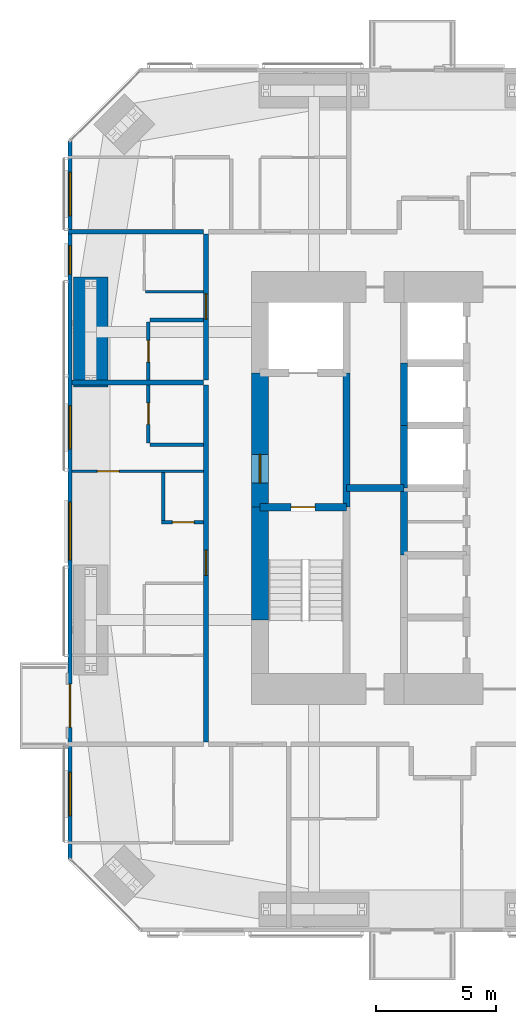
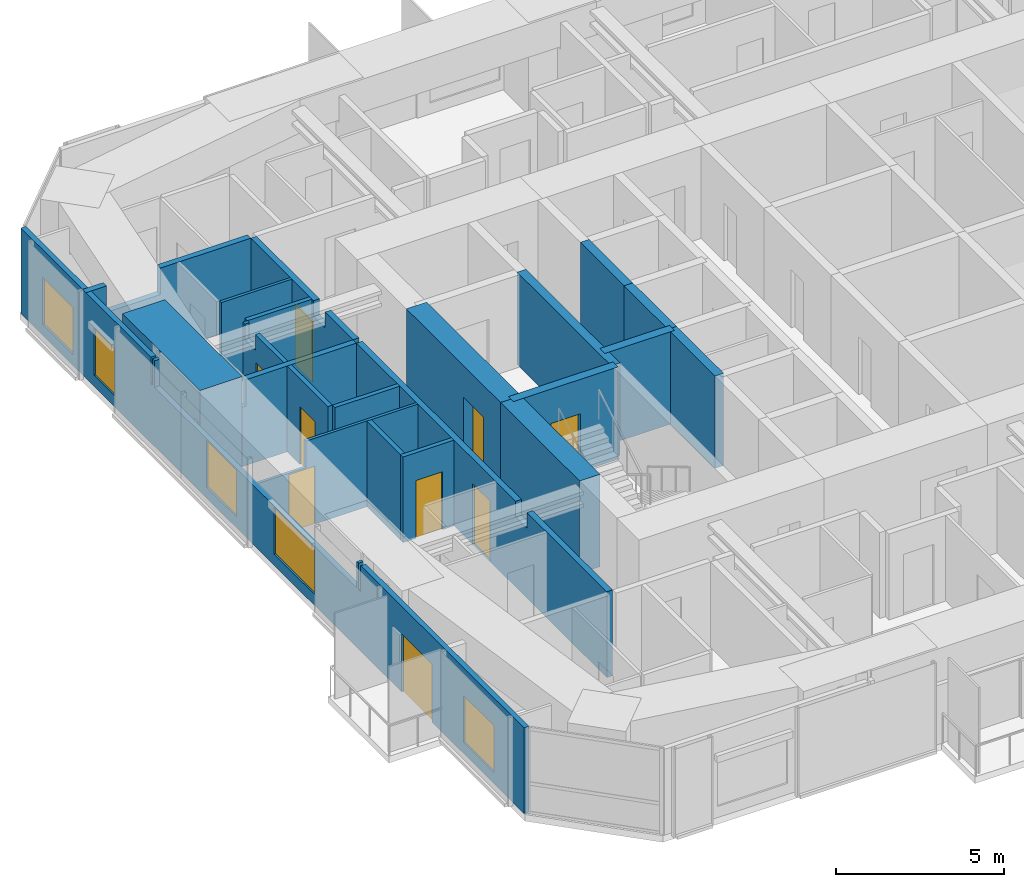
# One storey, part 17 of 23: 22 walls, 9 doors, 5 windows, 14 openings.
"""IFC4 building model written with IfcOpenShell, lengths in metres."""

from ifc_helpers import new_model, si_unit, direction, frame, frame_2d, origin, place, context, subcontext, project, spatial, polyline, rectangle, outline, extrude, material, layer, layer_set, constituent, constituent_set, type_object, element, fill, save


model = new_model("IFC4")

# Units and contexts
model_context = context("Model", 3, precision=1e-05, world=origin(), true_north=direction((0.0, 1.0)))
body_context = subcontext(model_context, "Body", "Model", "MODEL_VIEW")
ifc_project = project(units=[si_unit("LENGTHUNIT", "METRE"), si_unit("AREAUNIT", "SQUARE_METRE"), si_unit("VOLUMEUNIT", "CUBIC_METRE"), si_unit("PLANEANGLEUNIT", "RADIAN"), si_unit("MASSUNIT", "GRAM", prefix="KILO")], contexts=[model_context])

# Site, building, storey
site_placement = place(None, origin())
site = spatial("IfcSite", under=ifc_project, at=site_placement, CompositionType="ELEMENT")
building_placement = place(site_placement, origin())
building = spatial("IfcBuilding", under=site, at=building_placement, Name="Jalousie Tower", CompositionType="ELEMENT")
storey_placement = place(building_placement, frame((0.0, 0.0, 167.75)))
storey = spatial("IfcBuildingStorey", under=building, at=storey_placement, Name="L45", CompositionType="ELEMENT", Elevation=167.75)

# Wall, opening, door
ifc_material_1 = material(Name="Concrete block ASTM C90", Category="concrete")
ifc_constituent_1 = constituent(ifc_material_1, Name="Body")
ifc_material_2 = material(Name="Render")
ifc_constituent_2 = constituent(ifc_material_2, Name="Finish")
ifc_constituent_set_1 = constituent_set(constituents=[ifc_constituent_1, ifc_constituent_2])
wall_type_1 = type_object("IfcWallType", Name="BATHROOM WALL 150", PredefinedType="PLUMBINGWALL", material=ifc_constituent_set_1)
wall_1_placement = place(storey_placement, frame((15.35009765625, 20.375, 0.0), z_axis=(0.0, 0.0, 1.0), x_axis=(0.0, 1.0, 0.0)))
wall_1 = element("IfcWall", 1, at=wall_1_placement, inside=storey, type_object=wall_type_1, Name="Bathroom Wall 150 L45", PredefinedType="PLUMBINGWALL", context=body_context, shape_type="SweptSolid", body=[
    extrude(rectangle(XDim=2.425048828125, YDim=0.14990234375, at=frame_2d((1.21240234375, 0.0))), origin(), (0.0, 0.0, 1.0), 3.110107421875),
])
opening_1_placement = place(wall_1_placement, frame((0.77490234375, 0.0, 0.0)))
opening_1 = element("IfcOpeningElement", 2, at=opening_1_placement, cuts=wall_1, Name="Opening D3", PredefinedType="OPENING", context=body_context, shape_type="SweptSolid", body=[
    extrude(rectangle(XDim=0.89990234375, YDim=2.10009765625, at=frame_2d((0.449951171875, 1.050048828125))), frame((0.0, 0.0849609375, 0.0), z_axis=(0.0, -1.0, 0.0), x_axis=(1.0, 0.0, 0.0)), (0.0, 0.0, 1.0), 0.169921875),
])
ifc_material_3 = material(Name="Timber door", Category="wood")
door_type_1 = type_object("IfcDoorType", Name="BATHROOM DOOR 900", OperationType="SINGLE_SWING_LEFT", PredefinedType="DOOR", material=ifc_material_3)
door_1_placement = place(opening_1_placement, frame((0.89990234375, 0.0, 0.0), z_axis=(0.0, 0.0, 1.0), x_axis=(-1.0, 0.0, 0.0)))
door_1 = element("IfcDoor", 3, at=door_1_placement, inside=storey, type_object=door_type_1, Name="Apartment 4508 bathroom door", OperationType="SINGLE_SWING_LEFT", OverallHeight=2.10009765625, OverallWidth=0.89990234375, PredefinedType="DOOR", context=body_context, shape_type="SweptSolid", body=[
    extrude(rectangle(XDim=0.89990234375, YDim=2.10009765625, at=frame_2d((0.449951171875, 1.050048828125))), frame((0.0, 0.02490234375, 0.0), z_axis=(0.0, -1.0, 0.0), x_axis=(1.0, 0.0, 0.0)), (0.0, 0.0, 1.0), 0.050048828125),
])
fill(opening_1, door_1)

# Wall
wall_2_placement = place(storey_placement, frame((15.425048828125, 20.300048828125, 0.0), z_axis=(0.0, 0.0, 1.0), x_axis=(1.0, 0.0, 0.0)))
element("IfcWall", 4, at=wall_2_placement, inside=storey, type_object=wall_type_1, Name="Bathroom Wall 150 L45", PredefinedType="PLUMBINGWALL", context=body_context, shape_type="SweptSolid", body=[
    extrude(rectangle(XDim=2.224853515625, YDim=0.14990234375, at=frame_2d((1.1123046875, 0.0))), origin(), (0.0, 0.0, 1.0), 3.110107421875),
])

# Wall, opening, door
wall_3_placement = place(storey_placement, frame((15.35009765625, 23.0, 0.0), z_axis=(0.0, 0.0, 1.0), x_axis=(0.0, 1.0, 0.0)))
wall_3 = element("IfcWall", 5, at=wall_3_placement, inside=storey, type_object=wall_type_1, Name="Bathroom Wall 150 L45", PredefinedType="PLUMBINGWALL", context=body_context, shape_type="SweptSolid", body=[
    extrude(outline(polyline([(0.0, 0.0), (2.425048828125, 0.0), (2.425048828125, 3.110107421875), (2.3125, 3.110107421875), (2.3125, 2.541015625), (1.6875, 2.541015625), (1.6875, 3.110107421875), (0.0, 3.110107421875), (0.0, 0.0)])), frame((0.0, 0.074951171875, 0.0), z_axis=(0.0, -1.0, 0.0), x_axis=(1.0, 0.0, 0.0)), (0.0, 0.0, 1.0), 0.14990234375),
])
opening_2_placement = place(wall_3_placement, frame((0.75, 0.0, 0.0)))
opening_2 = element("IfcOpeningElement", 6, at=opening_2_placement, cuts=wall_3, Name="Opening D3", PredefinedType="OPENING", context=body_context, shape_type="SweptSolid", body=[
    extrude(rectangle(XDim=0.89990234375, YDim=2.10009765625, at=frame_2d((0.449951171875, 1.050048828125))), frame((0.0, 0.0849609375, 0.0), z_axis=(0.0, -1.0, 0.0), x_axis=(1.0, 0.0, 0.0)), (0.0, 0.0, 1.0), 0.169921875),
])
door_2_placement = place(opening_2_placement, frame((0.89990234375, 0.0, 0.0), z_axis=(0.0, 0.0, 1.0), x_axis=(-1.0, 0.0, 0.0)))
door_2 = element("IfcDoor", 7, at=door_2_placement, inside=storey, type_object=door_type_1, Name="Apartment 4509 bathroom door", OperationType="SINGLE_SWING_RIGHT", OverallHeight=2.10009765625, OverallWidth=0.89990234375, PredefinedType="DOOR", context=body_context, shape_type="SweptSolid", body=[
    extrude(rectangle(XDim=0.89990234375, YDim=2.10009765625, at=frame_2d((0.449951171875, 1.050048828125))), frame((0.0, 0.02490234375, 0.0), z_axis=(0.0, -1.0, 0.0), x_axis=(1.0, 0.0, 0.0)), (0.0, 0.0, 1.0), 0.050048828125),
])
fill(opening_2, door_2)

# Wall
wall_4_placement = place(storey_placement, frame((15.425048828125, 25.5, 0.0), z_axis=(0.0, 0.0, 1.0), x_axis=(1.0, 0.0, 0.0)))
element("IfcWall", 8, at=wall_4_placement, inside=storey, type_object=wall_type_1, Name="Bathroom Wall 150 L45", PredefinedType="PLUMBINGWALL", context=body_context, shape_type="SweptSolid", body=[
    extrude(rectangle(XDim=2.224853515625, YDim=0.14990234375, at=frame_2d((1.1123046875, 0.0))), origin(), (0.0, 0.0, 1.0), 3.110107421875),
])

# Wall, opening, door
wall_5_placement = place(storey_placement, frame((17.64990234375, 17.074951171875, 0.0), z_axis=(0.0, 0.0, 1.0), x_axis=(-1.0, 0.0, 0.0)))
wall_5 = element("IfcWall", 9, at=wall_5_placement, inside=storey, type_object=wall_type_1, Name="Bathroom Wall 150 L45", PredefinedType="PLUMBINGWALL", context=body_context, shape_type="SweptSolid", body=[
    extrude(rectangle(XDim=1.75, YDim=0.14990234375, at=frame_2d((0.875, 0.0))), origin(), (0.0, 0.0, 1.0), 3.110107421875),
])
opening_3_placement = place(wall_5_placement, frame((0.39990234375, 0.0, 0.0)))
opening_3 = element("IfcOpeningElement", 10, at=opening_3_placement, cuts=wall_5, Name="Opening D7", PredefinedType="OPENING", context=body_context, shape_type="SweptSolid", body=[
    extrude(rectangle(XDim=0.89990234375, YDim=2.10009765625, at=frame_2d((0.449951171875, 1.050048828125))), frame((0.0, 0.0849609375, 0.0), z_axis=(0.0, -1.0, 0.0), x_axis=(1.0, 0.0, 0.0)), (0.0, 0.0, 1.0), 0.169921875),
])
ifc_material_4 = material(Name="Timber door", Category="wood")
door_type_2 = type_object("IfcDoorType", Name="INTERNAL DOOR 900", OperationType="SINGLE_SWING_LEFT", PredefinedType="DOOR", material=ifc_material_4)
door_3_placement = place(opening_3_placement, frame((0.89990234375, 0.0, 0.0), z_axis=(0.0, 0.0, 1.0), x_axis=(-1.0, 0.0, 0.0)))
door_3 = element("IfcDoor", 11, at=door_3_placement, inside=storey, type_object=door_type_2, Name="Apartment 4508 guest WC door", OperationType="SINGLE_SWING_LEFT", OverallHeight=2.10009765625, OverallWidth=0.89990234375, PredefinedType="DOOR", context=body_context, shape_type="SweptSolid", body=[
    extrude(rectangle(XDim=0.89990234375, YDim=2.10009765625, at=frame_2d((0.449951171875, 1.050048828125))), frame((0.0, 0.02490234375, 0.0), z_axis=(0.0, -1.0, 0.0), x_axis=(1.0, 0.0, 0.0)), (0.0, 0.0, 1.0), 0.050048828125),
])
fill(opening_3, door_3)

# Walls
wall_6_placement = place(storey_placement, frame((15.97509765625, 19.14990234375, 0.0), z_axis=(0.0, 0.0, 1.0), x_axis=(0.0, -1.0, 0.0)))
element("IfcWall", 12, at=wall_6_placement, inside=storey, type_object=wall_type_1, Name="Bathroom Wall 150 L45", PredefinedType="PLUMBINGWALL", context=body_context, shape_type="SweptSolid", body=[
    extrude(rectangle(XDim=2.0, YDim=0.14990234375, at=frame_2d((1.0, 0.0))), origin(), (0.0, 0.0, 1.0), 3.110107421875),
])
ifc_material_5 = material(Name="Concrete f'c 120 MPa", Category="concrete")
ifc_layer_1 = layer(ifc_material_5, 0.300048828125)
ifc_layer_set_1 = layer_set([ifc_layer_1], Name="Concrete f'c 120 MPa")
wall_type_2 = type_object("IfcWallType", Name="CORE WALL 300", PredefinedType="SHEAR", material=ifc_layer_set_1)
wall_7_placement = place(storey_placement, frame((23.60009765625, 17.699951171875, 0.0), z_axis=(0.0, 0.0, 1.0), x_axis=(0.0, 1.0, 0.0)))
element("IfcWall", 13, at=wall_7_placement, inside=storey, type_object=wall_type_2, Name="Core wall X23.6B L45", PredefinedType="SHEAR", context=body_context, shape_type="SweptSolid", body=[
    extrude(rectangle(XDim=5.60009765625, YDim=0.300048828125, at=frame_2d((2.800048828125, 0.0))), origin(), (0.0, 0.0, 1.0), 3.35009765625),
])
wall_8_placement = place(storey_placement, frame((26.0, 15.699951171875, 0.0), z_axis=(0.0, 0.0, 1.0), x_axis=(0.0, 1.0, 0.0)))
element("IfcWall", 14, at=wall_8_placement, inside=storey, type_object=wall_type_2, Name="Core wall X26C L45", PredefinedType="SHEAR", context=body_context, shape_type="SweptSolid", body=[
    extrude(rectangle(XDim=2.800048828125, YDim=0.300048828125, at=frame_2d((1.39990234375, 0.0))), origin(), (0.0, 0.0, 1.0), 3.35009765625),
])
wall_9_placement = place(storey_placement, frame((26.0, 18.5, 0.0), z_axis=(0.0, 0.0, 1.0), x_axis=(0.0, 1.0, 0.0)))
element("IfcWall", 15, at=wall_9_placement, inside=storey, type_object=wall_type_2, Name="Core wall X26D L45", PredefinedType="SHEAR", context=body_context, shape_type="SweptSolid", body=[
    extrude(rectangle(XDim=2.60009765625, YDim=0.300048828125, at=frame_2d((1.300048828125, 0.0))), origin(), (0.0, 0.0, 1.0), 3.35009765625),
])
wall_10_placement = place(storey_placement, frame((26.0, 21.10009765625, 0.0), z_axis=(0.0, 0.0, 1.0), x_axis=(0.0, 1.0, 0.0)))
element("IfcWall", 16, at=wall_10_placement, inside=storey, type_object=wall_type_2, Name="Core wall X26E L45", PredefinedType="SHEAR", context=body_context, shape_type="SweptSolid", body=[
    extrude(rectangle(XDim=2.599853515625, YDim=0.300048828125, at=frame_2d((1.2998046875, 0.0))), origin(), (0.0, 0.0, 1.0), 3.35009765625),
])

# Wall, opening, door
wall_11_placement = place(storey_placement, frame((20.0, 17.699951171875, 0.0), z_axis=(0.0, 0.0, 1.0), x_axis=(1.0, 0.0, 0.0)))
wall_11 = element("IfcWall", 17, at=wall_11_placement, inside=storey, type_object=wall_type_2, Name="Core wall Y20-17.7 L45", PredefinedType="SHEAR", context=body_context, shape_type="SweptSolid", body=[
    extrude(rectangle(XDim=3.60009765625, YDim=0.300048828125, at=frame_2d((1.800048828125, 0.0))), origin(), (0.0, 0.0, 1.0), 3.35009765625),
])
opening_4_placement = place(wall_11_placement, frame((1.300048828125, 0.0, 0.0)))
opening_4 = element("IfcOpeningElement", 18, at=opening_4_placement, cuts=wall_11, Name="Opening D10", PredefinedType="OPENING", context=body_context, shape_type="SweptSolid", body=[
    extrude(rectangle(XDim=1.0, YDim=2.10009765625, at=frame_2d((0.5, 1.050048828125))), frame((0.0, 0.159912109375, 0.0), z_axis=(0.0, -1.0, 0.0), x_axis=(1.0, 0.0, 0.0)), (0.0, 0.0, 1.0), 0.320068359375),
])
ifc_material_6 = material(Name="Steel fire door", Category="steel")
door_type_3 = type_object("IfcDoorType", Name="STAIR DOOR 1000", OperationType="SINGLE_SWING_LEFT", PredefinedType="DOOR", material=ifc_material_6)
door_4_placement = place(opening_4_placement, frame((1.0, 0.0, 0.0), z_axis=(0.0, 0.0, 1.0), x_axis=(-1.0, 0.0, 0.0)))
door_4 = element("IfcDoor", 19, at=door_4_placement, inside=storey, type_object=door_type_3, Name="Exit stair A door", OperationType="SINGLE_SWING_RIGHT", OverallHeight=2.10009765625, OverallWidth=1.0, PredefinedType="DOOR", context=body_context, shape_type="SweptSolid", body=[
    extrude(rectangle(XDim=1.0, YDim=2.10009765625, at=frame_2d((0.5, 1.050048828125))), frame((0.0, 0.02490234375, 0.0), z_axis=(0.0, -1.0, 0.0), x_axis=(1.0, 0.0, 0.0)), (0.0, 0.0, 1.0), 0.050048828125),
])
fill(opening_4, door_4)

# Wall
wall_12_placement = place(storey_placement, frame((23.60009765625, 18.5, 0.0), z_axis=(0.0, 0.0, 1.0), x_axis=(1.0, 0.0, 0.0)))
element("IfcWall", 20, at=wall_12_placement, inside=storey, type_object=wall_type_2, Name="Core wall Y23.6-18.5 L45", PredefinedType="SHEAR", context=body_context, shape_type="SweptSolid", body=[
    extrude(rectangle(XDim=2.39990234375, YDim=0.300048828125, at=frame_2d((1.199951171875, 0.0))), origin(), (0.0, 0.0, 1.0), 3.35009765625),
])

# Wall, opening, door
ifc_material_7 = material(Name="Concrete f'c 120 MPa", Category="concrete")
ifc_layer_2 = layer(ifc_material_7, 0.699951171875)
ifc_layer_set_2 = layer_set([ifc_layer_2], Name="Concrete f'c 120 MPa")
wall_type_3 = type_object("IfcWallType", Name="CORE WALL 700", PredefinedType="SHEAR", material=ifc_layer_set_2)
wall_13_placement = place(storey_placement, frame((20.0, 23.300048828125, 0.0), z_axis=(0.0, 0.0, 1.0), x_axis=(0.0, -1.0, 0.0)))
wall_13 = element("IfcWall", 21, at=wall_13_placement, inside=storey, type_object=wall_type_3, Name="Core wall WB L45", PredefinedType="SHEAR", context=body_context, shape_type="SweptSolid", body=[
    extrude(rectangle(XDim=5.60009765625, YDim=0.699951171875, at=frame_2d((2.800048828125, 0.0))), origin(), (0.0, 0.0, 1.0), 3.35009765625),
])
opening_5_placement = place(wall_13_placement, frame((3.39990234375, 0.0, 0.0)))
opening_5 = element("IfcOpeningElement", 22, at=opening_5_placement, cuts=wall_13, Name="Opening D11", PredefinedType="OPENING", context=body_context, shape_type="SweptSolid", body=[
    extrude(rectangle(XDim=1.199951171875, YDim=2.199951171875, at=frame_2d((0.60009765625, 1.10009765625))), frame((0.0, 0.35986328125, 0.0), z_axis=(0.0, -1.0, 0.0), x_axis=(1.0, 0.0, 0.0)), (0.0, 0.0, 1.0), 0.719970703125),
])
ifc_material_8 = material(Name="Steel fire door", Category="steel")
door_type_4 = type_object("IfcDoorType", Name="FIRE DOOR 1200", OperationType="SINGLE_SWING_LEFT", PredefinedType="DOOR", material=ifc_material_8)
door_5_placement = place(opening_5_placement, origin())
door_5 = element("IfcDoor", 23, at=door_5_placement, inside=storey, type_object=door_type_4, Name="Fire-fighting lobby A door", OperationType="SINGLE_SWING_RIGHT", OverallHeight=2.199951171875, OverallWidth=1.199951171875, PredefinedType="DOOR", context=body_context, shape_type="SweptSolid", body=[
    extrude(rectangle(XDim=1.199951171875, YDim=2.199951171875, at=frame_2d((0.60009765625, 1.10009765625))), frame((0.0, 0.02490234375, 0.0), z_axis=(0.0, -1.0, 0.0), x_axis=(1.0, 0.0, 0.0)), (0.0, 0.0, 1.0), 0.050048828125),
])
fill(opening_5, door_5)

# Wall
wall_14_placement = place(storey_placement, frame((20.0, 17.699951171875, 0.0), z_axis=(0.0, 0.0, 1.0), x_axis=(0.0, -1.0, 0.0)))
element("IfcWall", 24, at=wall_14_placement, inside=storey, type_object=wall_type_3, Name="Core wall WC L45", PredefinedType="SHEAR", context=body_context, shape_type="SweptSolid", body=[
    extrude(rectangle(XDim=4.699951171875, YDim=0.699951171875, at=frame_2d((2.35009765625, 0.0))), origin(), (0.0, 0.0, 1.0), 3.35009765625),
])

# Wall, opening, door
ifc_material_9 = material(Name="Concrete block ASTM C90", Category="concrete")
ifc_constituent_3 = constituent(ifc_material_9, Name="Body")
ifc_material_10 = material(Name="Render")
ifc_constituent_4 = constituent(ifc_material_10, Name="Finish")
ifc_constituent_set_2 = constituent_set(constituents=[ifc_constituent_3, ifc_constituent_4])
wall_type_4 = type_object("IfcWallType", Name="CORRIDOR WALL 200", PredefinedType="PARTITIONING", material=ifc_constituent_set_2)
wall_15_placement = place(storey_placement, frame((17.75, 7.925048828125, 0.0), z_axis=(0.0, 0.0, 1.0), x_axis=(0.0, 1.0, 0.0)))
wall_15 = element("IfcWall", 25, at=wall_15_placement, inside=storey, type_object=wall_type_4, Name="Corridor Wall 200 L45", PredefinedType="PARTITIONING", context=body_context, shape_type="SweptSolid", body=[
    extrude(outline(polyline([(0.0, 0.0), (14.875, 0.0), (14.875, 3.110107421875), (5.412353515625, 3.110107421875), (5.412353515625, 2.541015625), (4.73779296875, 2.541015625), (4.73779296875, 3.110107421875), (0.0, 3.110107421875), (0.0, 0.0)])), frame((0.0, 0.10009765625, 0.0), z_axis=(0.0, -1.0, 0.0), x_axis=(1.0, 0.0, 0.0)), (0.0, 0.0, 1.0), 0.199951171875),
])
opening_6_placement = place(wall_15_placement, frame((6.9375, 0.0, 0.0)))
opening_6 = element("IfcOpeningElement", 26, at=opening_6_placement, cuts=wall_15, Name="Opening D1", PredefinedType="OPENING", context=body_context, shape_type="SweptSolid", body=[
    extrude(rectangle(XDim=1.050048828125, YDim=2.199951171875, at=frame_2d((0.52490234375, 1.10009765625))), frame((0.0, 0.10986328125, 0.0), z_axis=(0.0, -1.0, 0.0), x_axis=(1.0, 0.0, 0.0)), (0.0, 0.0, 1.0), 0.219970703125),
])
ifc_material_11 = material(Name="Timber fire door", Category="wood")
door_type_5 = type_object("IfcDoorType", Name="APARTMENT ENTRANCE DOOR 1050", OperationType="SINGLE_SWING_LEFT", PredefinedType="DOOR", material=ifc_material_11)
door_6_placement = place(opening_6_placement, origin())
door_6 = element("IfcDoor", 27, at=door_6_placement, inside=storey, type_object=door_type_5, Name="Apartment 4508 entrance", OperationType="SINGLE_SWING_LEFT", OverallHeight=2.199951171875, OverallWidth=1.050048828125, PredefinedType="DOOR", context=body_context, shape_type="SweptSolid", body=[
    extrude(rectangle(XDim=1.050048828125, YDim=2.199951171875, at=frame_2d((0.52490234375, 1.10009765625))), frame((0.0, 0.02490234375, 0.0), z_axis=(0.0, -1.0, 0.0), x_axis=(1.0, 0.0, 0.0)), (0.0, 0.0, 1.0), 0.050048828125),
])
fill(opening_6, door_6)

wall_16_placement = place(storey_placement, frame((17.75, 23.0, 0.0), z_axis=(0.0, 0.0, 1.0), x_axis=(0.0, 1.0, 0.0)))
wall_16 = element("IfcWall", 28, at=wall_16_placement, inside=storey, type_object=wall_type_4, Name="Corridor Wall 200 L45", PredefinedType="PARTITIONING", context=body_context, shape_type="SweptSolid", body=[
    extrude(outline(polyline([(0.0, 0.0), (6.074951171875, 0.0), (6.074951171875, 3.110107421875), (2.33740234375, 3.110107421875), (2.33740234375, 2.541015625), (1.66259765625, 2.541015625), (1.66259765625, 3.110107421875), (0.0, 3.110107421875), (0.0, 0.0)])), frame((0.0, 0.10009765625, 0.0), z_axis=(0.0, -1.0, 0.0), x_axis=(1.0, 0.0, 0.0)), (0.0, 0.0, 1.0), 0.199951171875),
])
opening_7_placement = place(wall_16_placement, frame((2.53759765625, 0.0, 0.0)))
opening_7 = element("IfcOpeningElement", 29, at=opening_7_placement, cuts=wall_16, Name="Opening D1", PredefinedType="OPENING", context=body_context, shape_type="SweptSolid", body=[
    extrude(rectangle(XDim=1.050048828125, YDim=2.199951171875, at=frame_2d((0.52490234375, 1.10009765625))), frame((0.0, 0.10986328125, 0.0), z_axis=(0.0, -1.0, 0.0), x_axis=(1.0, 0.0, 0.0)), (0.0, 0.0, 1.0), 0.219970703125),
])
door_7_placement = place(opening_7_placement, origin())
door_7 = element("IfcDoor", 30, at=door_7_placement, inside=storey, type_object=door_type_5, Name="Apartment 4509 entrance", OperationType="SINGLE_SWING_LEFT", OverallHeight=2.199951171875, OverallWidth=1.050048828125, PredefinedType="DOOR", context=body_context, shape_type="SweptSolid", body=[
    extrude(rectangle(XDim=1.050048828125, YDim=2.199951171875, at=frame_2d((0.52490234375, 1.10009765625))), frame((0.0, 0.02490234375, 0.0), z_axis=(0.0, -1.0, 0.0), x_axis=(1.0, 0.0, 0.0)), (0.0, 0.0, 1.0), 0.050048828125),
])
fill(opening_7, door_7)

# Wall, openings, door, windows
ifc_material_12 = material(Name="Concrete f'c 40 MPa", Category="concrete")
ifc_constituent_5 = constituent(ifc_material_12, Name="Body")
ifc_material_13 = material(Name="Render, pastel lemon")
ifc_constituent_6 = constituent(ifc_material_13, Name="Finish")
ifc_constituent_set_3 = constituent_set(constituents=[ifc_constituent_5, ifc_constituent_6])
wall_type_5 = type_object("IfcWallType", Name="EXTERNAL WALL 175 LEMON RENDER", PredefinedType="SOLIDWALL", material=ifc_constituent_set_3)
wall_17_placement = place(storey_placement, frame((12.08740234375, 32.94873046875, 0.0), z_axis=(0.0, 0.0, 1.0), x_axis=(0.0, -1.0, 0.0)))
wall_17 = element("IfcWall", 31, at=wall_17_placement, inside=storey, type_object=wall_type_5, Name="External Wall 175 Lemon Render L45", PredefinedType="SOLIDWALL", context=body_context, shape_type="SweptSolid", body=[
    extrude(outline(polyline([(0.0, 0.0), (29.8974609375, 0.0), (29.8974609375, 3.110107421875), (20.19140625, 3.110107421875), (20.19140625, 2.14990234375), (20.050537109375, 2.14990234375), (20.050537109375, 3.110107421875), (19.94873046875, 3.110107421875), (19.94873046875, 2.14990234375), (7.94873046875, 2.14990234375), (7.94873046875, 3.110107421875), (7.823486328125, 3.110107421875), (7.823486328125, 2.14990234375), (7.729736328125, 2.14990234375), (7.729736328125, 3.110107421875), (0.0, 3.110107421875), (0.0, 0.0)])), frame((0.0, 0.08740234375, 0.0), z_axis=(0.0, -1.0, 0.0), x_axis=(1.0, 0.0, 0.0)), (0.0, 0.0, 1.0), 0.175048828125),
])
opening_8_placement = place(wall_17_placement, frame((1.296875, 0.0, 0.39990234375)))
opening_8 = element("IfcOpeningElement", 32, at=opening_8_placement, cuts=wall_17, Name="Opening W-BED170", PredefinedType="OPENING", context=body_context, shape_type="SweptSolid", body=[
    extrude(rectangle(XDim=1.800048828125, YDim=1.699951171875, at=frame_2d((0.89990234375, 0.85009765625))), frame((0.0, 0.097412109375, 0.0), z_axis=(0.0, -1.0, 0.0), x_axis=(1.0, 0.0, 0.0)), (0.0, 0.0, 1.0), 0.195068359375),
])
opening_9_placement = place(wall_17_placement, frame((4.3486328125, 0.0, 0.39990234375)))
opening_9 = element("IfcOpeningElement", 33, at=opening_9_placement, cuts=wall_17, Name="Opening W-COR170", PredefinedType="OPENING", context=body_context, shape_type="SweptSolid", body=[
    extrude(rectangle(XDim=1.199951171875, YDim=1.699951171875, at=frame_2d((0.60009765625, 0.85009765625))), frame((0.0, 0.097412109375, 0.0), z_axis=(0.0, -1.0, 0.0), x_axis=(1.0, 0.0, 0.0)), (0.0, 0.0, 1.0), 0.195068359375),
])
opening_10_placement = place(wall_17_placement, frame((11.023681640625, 0.0, 0.39990234375)))
opening_10 = element("IfcOpeningElement", 34, at=opening_10_placement, cuts=wall_17, Name="Opening W-BED170", PredefinedType="OPENING", context=body_context, shape_type="SweptSolid", body=[
    extrude(rectangle(XDim=1.800048828125, YDim=1.699951171875, at=frame_2d((0.89990234375, 0.85009765625))), frame((0.0, 0.097412109375, 0.0), z_axis=(0.0, -1.0, 0.0), x_axis=(1.0, 0.0, 0.0)), (0.0, 0.0, 1.0), 0.195068359375),
])
opening_11_placement = place(wall_17_placement, frame((15.043701171875, 0.0, 0.39990234375)))
opening_11 = element("IfcOpeningElement", 35, at=opening_11_placement, cuts=wall_17, Name="Opening W-LIV170", PredefinedType="OPENING", context=body_context, shape_type="SweptSolid", body=[
    extrude(rectangle(XDim=2.39990234375, YDim=1.699951171875, at=frame_2d((1.199951171875, 0.85009765625))), frame((0.0, 0.097412109375, 0.0), z_axis=(0.0, -1.0, 0.0), x_axis=(1.0, 0.0, 0.0)), (0.0, 0.0, 1.0), 0.195068359375),
])
opening_12_placement = place(wall_17_placement, frame((22.623779296875, 0.0, 0.0)))
opening_12 = element("IfcOpeningElement", 36, at=opening_12_placement, cuts=wall_17, Name="Opening D-BAL21", PredefinedType="OPENING", context=body_context, shape_type="SweptSolid", body=[
    extrude(rectangle(XDim=1.800048828125, YDim=2.10009765625, at=frame_2d((0.89990234375, 1.050048828125))), frame((0.0, 0.097412109375, 0.0), z_axis=(0.0, -1.0, 0.0), x_axis=(1.0, 0.0, 0.0)), (0.0, 0.0, 1.0), 0.195068359375),
])
opening_13_placement = place(wall_17_placement, frame((26.300537109375, 0.0, 0.39990234375)))
opening_13 = element("IfcOpeningElement", 37, at=opening_13_placement, cuts=wall_17, Name="Opening W-BED170", PredefinedType="OPENING", context=body_context, shape_type="SweptSolid", body=[
    extrude(rectangle(XDim=1.800048828125, YDim=1.699951171875, at=frame_2d((0.89990234375, 0.85009765625))), frame((0.0, 0.097412109375, 0.0), z_axis=(0.0, -1.0, 0.0), x_axis=(1.0, 0.0, 0.0)), (0.0, 0.0, 1.0), 0.195068359375),
])
ifc_material_14 = material(Name="Aluminium frame, impact-rated glazing", Category="aluminium")
door_type_6 = type_object("IfcDoorType", Name="BALCONY DOOR 1800x2100", OperationType="SLIDING_TO_LEFT", PredefinedType="DOOR", material=ifc_material_14)
door_8_placement = place(opening_12_placement, origin())
door_8 = element("IfcDoor", 38, at=door_8_placement, inside=storey, type_object=door_type_6, Name="Apartment 4508 bedroom 1 balcony door", OperationType="SLIDING_TO_LEFT", OverallHeight=2.10009765625, OverallWidth=1.800048828125, PredefinedType="DOOR", context=body_context, shape_type="SweptSolid", body=[
    extrude(rectangle(XDim=1.800048828125, YDim=2.10009765625, at=frame_2d((0.89990234375, 1.050048828125))), frame((0.0, 0.02490234375, 0.0), z_axis=(0.0, -1.0, 0.0), x_axis=(1.0, 0.0, 0.0)), (0.0, 0.0, 1.0), 0.050048828125),
])
fill(opening_12, door_8)
ifc_material_15 = material(Name="Aluminium frame, impact-rated glazing", Category="aluminium")
window_type_1 = type_object("IfcWindowType", Name="WINDOW BED 1800x1700", PartitioningType="SINGLE_PANEL", PredefinedType="WINDOW", material=ifc_material_15)
window_1_placement = place(opening_8_placement, origin())
window_1 = element("IfcWindow", 39, at=window_1_placement, inside=storey, type_object=window_type_1, Name="Apartment 4505 bedroom 1 window", OverallHeight=1.699951171875, OverallWidth=1.800048828125, PartitioningType="SINGLE_PANEL", PredefinedType="WINDOW", context=body_context, shape_type="SweptSolid", body=[
    extrude(rectangle(XDim=1.800048828125, YDim=1.699951171875, at=frame_2d((0.89990234375, 0.85009765625))), frame((0.0, 0.030029296875, 0.0), z_axis=(0.0, -1.0, 0.0), x_axis=(1.0, 0.0, 0.0)), (0.0, 0.0, 1.0), 0.06005859375),
])
fill(opening_8, window_1)
window_2_placement = place(opening_10_placement, origin())
window_2 = element("IfcWindow", 40, at=window_2_placement, inside=storey, type_object=window_type_1, Name="Apartment 4508 bedroom 2 window", OverallHeight=1.699951171875, OverallWidth=1.800048828125, PartitioningType="SINGLE_PANEL", PredefinedType="WINDOW", context=body_context, shape_type="SweptSolid", body=[
    extrude(rectangle(XDim=1.800048828125, YDim=1.699951171875, at=frame_2d((0.89990234375, 0.85009765625))), frame((0.0, 0.030029296875, 0.0), z_axis=(0.0, -1.0, 0.0), x_axis=(1.0, 0.0, 0.0)), (0.0, 0.0, 1.0), 0.06005859375),
])
fill(opening_10, window_2)
window_3_placement = place(opening_13_placement, origin())
window_3 = element("IfcWindow", 41, at=window_3_placement, inside=storey, type_object=window_type_1, Name="Apartment 4501 bedroom 1 window", OverallHeight=1.699951171875, OverallWidth=1.800048828125, PartitioningType="SINGLE_PANEL", PredefinedType="WINDOW", context=body_context, shape_type="SweptSolid", body=[
    extrude(rectangle(XDim=1.800048828125, YDim=1.699951171875, at=frame_2d((0.89990234375, 0.85009765625))), frame((0.0, 0.030029296875, 0.0), z_axis=(0.0, -1.0, 0.0), x_axis=(1.0, 0.0, 0.0)), (0.0, 0.0, 1.0), 0.06005859375),
])
fill(opening_13, window_3)
ifc_material_16 = material(Name="Aluminium frame, impact-rated glazing", Category="aluminium")
window_type_2 = type_object("IfcWindowType", Name="WINDOW COR 1200x1700", PartitioningType="SINGLE_PANEL", PredefinedType="WINDOW", material=ifc_material_16)
window_4_placement = place(opening_9_placement, origin())
window_4 = element("IfcWindow", 42, at=window_4_placement, inside=storey, type_object=window_type_2, Name="Apartment 4509 studio living and sleeping room window", OverallHeight=1.699951171875, OverallWidth=1.199951171875, PartitioningType="SINGLE_PANEL", PredefinedType="WINDOW", context=body_context, shape_type="SweptSolid", body=[
    extrude(rectangle(XDim=1.199951171875, YDim=1.699951171875, at=frame_2d((0.60009765625, 0.85009765625))), frame((0.0, 0.030029296875, 0.0), z_axis=(0.0, -1.0, 0.0), x_axis=(1.0, 0.0, 0.0)), (0.0, 0.0, 1.0), 0.06005859375),
])
fill(opening_9, window_4)
ifc_material_17 = material(Name="Aluminium frame, impact-rated glazing", Category="aluminium")
window_type_3 = type_object("IfcWindowType", Name="WINDOW LIV 2400x1700", PartitioningType="DOUBLE_PANEL_VERTICAL", PredefinedType="WINDOW", material=ifc_material_17)
window_5_placement = place(opening_11_placement, origin())
window_5 = element("IfcWindow", 43, at=window_5_placement, inside=storey, type_object=window_type_3, Name="Apartment 4508 living and dining room window", OverallHeight=1.699951171875, OverallWidth=2.39990234375, PartitioningType="SINGLE_PANEL", PredefinedType="WINDOW", context=body_context, shape_type="SweptSolid", body=[
    extrude(rectangle(XDim=2.39990234375, YDim=1.699951171875, at=frame_2d((1.199951171875, 0.85009765625))), frame((0.0, 0.030029296875, 0.0), z_axis=(0.0, -1.0, 0.0), x_axis=(1.0, 0.0, 0.0)), (0.0, 0.0, 1.0), 0.06005859375),
])
fill(opening_11, window_5)

# Wall, opening, door
ifc_material_18 = material(Name="Gypsum board", Category="gypsum")
ifc_constituent_7 = constituent(ifc_material_18, Name="Body")
ifc_material_19 = material(Name="Light-gauge steel studs ASTM A653 SS Grade 33", Category="steel")
ifc_constituent_8 = constituent(ifc_material_19, Name="Framing")
ifc_constituent_set_4 = constituent_set(constituents=[ifc_constituent_7, ifc_constituent_8])
wall_type_6 = type_object("IfcWallType", Name="PARTITION 100", PredefinedType="PARTITIONING", material=ifc_constituent_set_4)
wall_18_placement = place(storey_placement, frame((12.175048828125, 19.199951171875, 0.0), z_axis=(0.0, 0.0, 1.0), x_axis=(1.0, 0.0, 0.0)))
wall_18 = element("IfcWall", 44, at=wall_18_placement, inside=storey, type_object=wall_type_6, Name="Partition 100 L45", PredefinedType="PARTITIONING", context=body_context, shape_type="SweptSolid", body=[
    extrude(outline(polyline([(0.0, 0.0), (5.474853515625, 0.0), (5.47509765625, 3.110107421875), (1.635009765625, 3.110107421875), (1.635009765625, 2.14990234375), (0.0, 2.14990234375), (0.0, 3.110107421875), (0.0, 0.0)])), frame((0.0, 0.050048828125, 0.0), z_axis=(0.0, -1.0, 0.0), x_axis=(1.0, 0.0, 0.0)), (0.0, 0.0, 1.0), 0.10009765625),
])
opening_14_placement = place(wall_18_placement, frame((1.050048828125, 0.0, 0.0)))
opening_14 = element("IfcOpeningElement", 45, at=opening_14_placement, cuts=wall_18, Name="Opening D2", PredefinedType="OPENING", context=body_context, shape_type="SweptSolid", body=[
    extrude(rectangle(XDim=0.89990234375, YDim=2.10009765625, at=frame_2d((0.449951171875, 1.050048828125))), frame((0.0, 0.06005859375, 0.0), z_axis=(0.0, -1.0, 0.0), x_axis=(1.0, 0.0, 0.0)), (0.0, 0.0, 1.0), 0.1201171875),
])
ifc_material_20 = material(Name="Timber door", Category="wood")
door_type_7 = type_object("IfcDoorType", Name="BEDROOM DOOR 900", OperationType="SINGLE_SWING_LEFT", PredefinedType="DOOR", material=ifc_material_20)
door_9_placement = place(opening_14_placement, origin())
door_9 = element("IfcDoor", 46, at=door_9_placement, inside=storey, type_object=door_type_7, Name="Apartment 4508 bedroom 2 door", OperationType="SINGLE_SWING_LEFT", OverallHeight=2.10009765625, OverallWidth=0.89990234375, PredefinedType="DOOR", context=body_context, shape_type="SweptSolid", body=[
    extrude(rectangle(XDim=0.89990234375, YDim=2.10009765625, at=frame_2d((0.449951171875, 1.050048828125))), frame((0.0, 0.02490234375, 0.0), z_axis=(0.0, -1.0, 0.0), x_axis=(1.0, 0.0, 0.0)), (0.0, 0.0, 1.0), 0.050048828125),
])
fill(opening_14, door_9)

# Walls
wall_19_placement = place(storey_placement, frame((15.22509765625, 26.675048828125, 0.0), z_axis=(0.0, 0.0, 1.0), x_axis=(1.0, 0.0, 0.0)))
element("IfcWall", 47, at=wall_19_placement, inside=storey, type_object=wall_type_6, Name="Partition 100 L45", PredefinedType="PARTITIONING", context=body_context, shape_type="SweptSolid", body=[
    extrude(rectangle(XDim=2.4248046875, YDim=0.10009765625, at=frame_2d((1.21240234375, 0.0))), origin(), (0.0, 0.0, 1.0), 3.110107421875),
])
ifc_material_21 = material(Name="Concrete block ASTM C90", Category="concrete")
ifc_constituent_9 = constituent(ifc_material_21, Name="Body")
ifc_material_22 = material(Name="Render")
ifc_constituent_10 = constituent(ifc_material_22, Name="Finish")
ifc_constituent_set_5 = constituent_set(constituents=[ifc_constituent_9, ifc_constituent_10])
wall_type_7 = type_object("IfcWallType", Name="PARTY WALL 200", PredefinedType="PARTITIONING", material=ifc_constituent_set_5)
wall_20_placement = place(storey_placement, frame((12.0, 29.175048828125, 0.0), z_axis=(0.0, 0.0, 1.0), x_axis=(1.0, 0.0, 0.0)))
element("IfcWall", 48, at=wall_20_placement, inside=storey, type_object=wall_type_7, Name="Party Wall 200 L45", PredefinedType="PARTITIONING", context=body_context, shape_type="SweptSolid", body=[
    extrude(outline(polyline([(0.0, 0.0), (5.64990234375, 0.0), (5.64990234375, 3.110107421875), (2.546630859375, 3.110107421875), (2.546630859375, 2.14990234375), (0.703125, 2.14990234375), (0.703125, 3.110107421875), (0.0, 3.110107421875), (0.0, 0.0)])), frame((0.0, 0.10009765625, 0.0), z_axis=(0.0, -1.0, 0.0), x_axis=(1.0, 0.0, 0.0)), (0.0, 0.0, 1.0), 0.199951171875),
])
wall_21_placement = place(storey_placement, frame((12.175048828125, 22.89990234375, 0.0), z_axis=(0.0, 0.0, 1.0), x_axis=(1.0, 0.0, 0.0)))
element("IfcWall", 49, at=wall_21_placement, inside=storey, type_object=wall_type_7, Name="Party Wall 200 L45", PredefinedType="PARTITIONING", context=body_context, shape_type="SweptSolid", body=[
    extrude(outline(polyline([(0.0, 0.0), (5.474853515625, 0.0), (5.47509765625, 3.110107421875), (1.68505859375, 3.110107421875), (1.68505859375, 2.14990234375), (0.0, 2.14990234375), (0.0, 3.110107421875), (0.0, 0.0)])), frame((0.0, 0.10009765625, 0.0), z_axis=(0.0, -1.0, 0.0), x_axis=(1.0, 0.0, 0.0)), (0.0, 0.0, 1.0), 0.199951171875),
])
ifc_material_23 = material(Name="Concrete f'c 120 MPa", Category="concrete")
ifc_layer_3 = layer(ifc_material_23, 1.449951171875)
ifc_layer_set_3 = layer_set([ifc_layer_3], Name="Concrete f'c 120 MPa")
wall_type_8 = type_object("IfcWallType", Name="RC WALL PIER 1450", PredefinedType="SHEAR", material=ifc_layer_set_3)
wall_22_placement = place(storey_placement, frame((12.949951171875, 22.699951171875, 0.0), z_axis=(0.0, 0.0, 1.0), x_axis=(0.0, 1.0, 0.0)))
element("IfcWall", 50, at=wall_22_placement, inside=storey, type_object=wall_type_8, Name="Wall pier 13 L45", PredefinedType="SHEAR", context=body_context, shape_type="SweptSolid", body=[
    extrude(rectangle(XDim=4.60009765625, YDim=1.449951171875, at=frame_2d((2.300048828125, 0.0))), origin(), (0.0, 0.0, 1.0), 3.35009765625),
])

save(model, "model.ifc")
